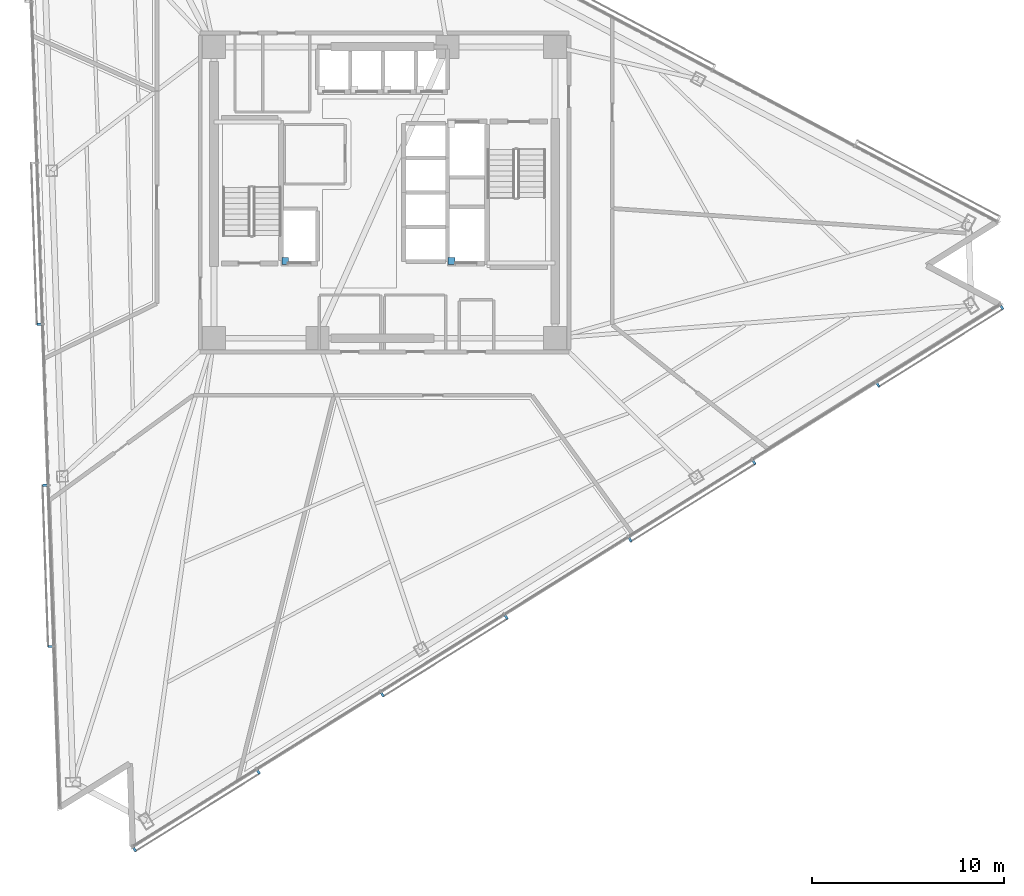
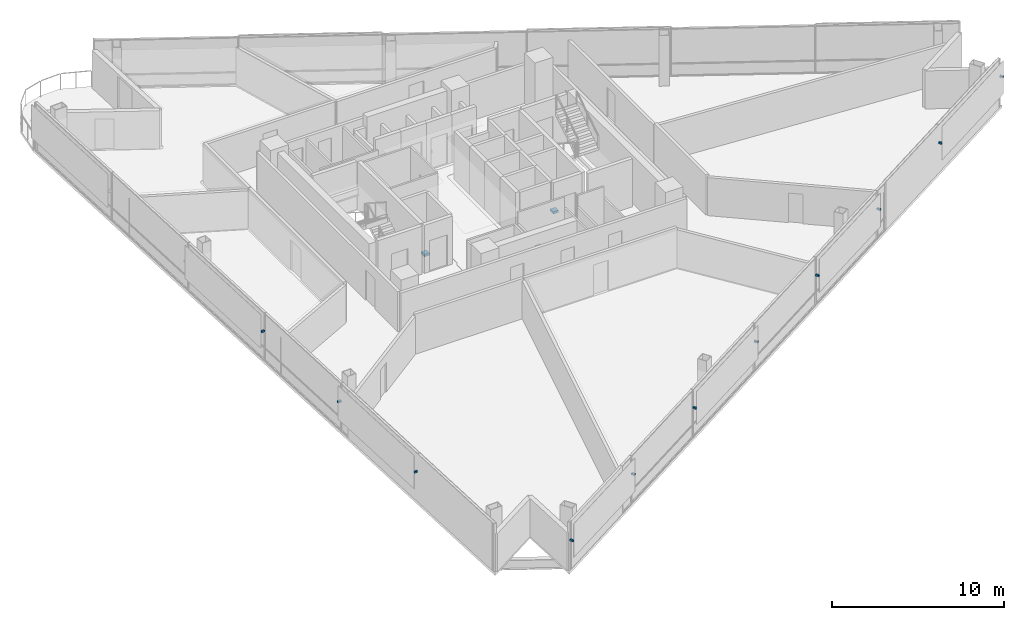
# One storey, part 15 of 21: 13 discrete accessories.
"""IFC4 building model written with IfcOpenShell, lengths in metres."""

from ifc_helpers import new_model, si_unit, direction, frame, origin, origin_2d, place, context, subcontext, project, spatial, rectangle, extrude, material, type_object, element, save


model = new_model("IFC4")

# Units and contexts
model_context = context("Model", 3, precision=1e-05, world=origin(), true_north=direction((0.0, 1.0)))
body_context = subcontext(model_context, "Body", "Model", "MODEL_VIEW")
ifc_project = project(units=[si_unit("LENGTHUNIT", "METRE"), si_unit("AREAUNIT", "SQUARE_METRE"), si_unit("VOLUMEUNIT", "CUBIC_METRE"), si_unit("PLANEANGLEUNIT", "RADIAN"), si_unit("MASSUNIT", "GRAM", prefix="KILO")], contexts=[model_context])

# Site, building, storey
site_placement = place(None, origin())
site = spatial("IfcSite", under=ifc_project, at=site_placement, CompositionType="ELEMENT")
building_placement = place(site_placement, origin())
building = spatial("IfcBuilding", under=site, at=building_placement, Name="Tharavind Bronze Gate", CompositionType="ELEMENT")
storey_placement = place(building_placement, frame((0.0, 0.0, 142.39990234375)))
storey = spatial("IfcBuildingStorey", under=building, at=storey_placement, Name="L36", CompositionType="ELEMENT", Elevation=142.39990234375)

# Discrete accessories
ifc_material_1 = material(Name="Galvanised Steel S355", Category="steel")
discrete_accessory_type_1 = type_object("IfcDiscreteAccessoryType", Name="LIFT GUIDE RAIL BRACKET", PredefinedType="BRACKET", material=ifc_material_1)
for number, where, z_axis, x_axis, name in (
    (1, (-5.179931640625, -3.580078125, 1.1201171875), (0.0, 0.0, 1.0), (1.0, 0.0, 0.0), "Lift FFL1 guide rail bracket at L36"),
    (2, (3.5, -3.580078125, 1.1201171875), (0.0, 0.0, 1.0), (1.0, 0.0, 0.0), "Lift SVL1 guide rail bracket at L36"),
):
    element("IfcDiscreteAccessory", number, at=place(storey_placement, frame(where, z_axis=z_axis, x_axis=x_axis)), inside=storey, type_object=discrete_accessory_type_1, Name=name, PredefinedType="BRACKET", context=body_context, shape_type="SweptSolid", body=[
        extrude(rectangle(XDim=0.360107421875, YDim=0.360107421875, at=origin_2d()), origin(), (0.0, 0.0, 1.0), 0.159912109375),
    ])
ifc_material_2 = material(Name="Stainless Steel 316", Category="steel")
discrete_accessory_type_2 = type_object("IfcDiscreteAccessoryType", Name="SOLAR SCREEN STANDOFF BRACKET", PredefinedType="BRACKET", material=ifc_material_2)
for number, where, z_axis, x_axis, name in (
    (3, (-18.018798828125, -6.8701171875, 2.094970703125), (0.0, 0.0, 1.0), (0.034899496703, -0.999390827019, 0.0), "CW-L36-S1 solar screen bracket 3.2"),
    (4, (-17.72509765625, -15.279541015625, 2.094970703125), (0.0, 0.0, 1.0), (0.034899496703, -0.999390827019, 0.0), "CW-L36-S1 solar screen bracket 5.1"),
    (5, (-17.431396484375, -23.68896484375, 2.094970703125), (0.0, 0.0, 1.0), (0.034899496703, -0.999390827019, 0.0), "CW-L36-S1 solar screen bracket 5.2"),
    (6, (-13.048095703125, -34.27294921875, 2.094970703125), (0.0, 0.0, 1.0), (0.848048096156, 0.529919264233, 0.0), "CW-L36-S2 solar screen bracket 1.1"),
    (7, (-6.582763671875, -30.23291015625, 2.094970703125), (0.0, 0.0, 1.0), (0.848048096156, 0.529919264233, 0.0), "CW-L36-S2 solar screen bracket 1.2"),
    (8, (-0.1171875, -26.19287109375, 2.094970703125), (0.0, 0.0, 1.0), (0.848048096156, 0.529919264233, 0.0), "CW-L36-S2 solar screen bracket 3.1"),
    (9, (6.34814453125, -22.15283203125, 2.094970703125), (0.0, 0.0, 1.0), (0.848048096156, 0.529919264233, 0.0), "CW-L36-S2 solar screen bracket 3.2"),
    (10, (12.813720703125, -18.11279296875, 2.094970703125), (0.0, 0.0, 1.0), (0.848048096156, 0.529919264233, 0.0), "CW-L36-S2 solar screen bracket 5.1"),
    (11, (19.279052734375, -14.07275390625, 2.094970703125), (0.0, 0.0, 1.0), (0.848048096156, 0.529919264233, 0.0), "CW-L36-S2 solar screen bracket 5.2"),
    (12, (25.744384765625, -10.03271484375, 2.094970703125), (0.0, 0.0, 1.0), (0.848048096156, 0.529919264233, 0.0), "CW-L36-S2 solar screen bracket 7.1"),
    (13, (32.2099609375, -5.992431640625, 2.094970703125), (0.0, 0.0, 1.0), (0.848048096156, 0.529919264233, 0.0), "CW-L36-S2 solar screen bracket 7.2"),
):
    element("IfcDiscreteAccessory", number, at=place(storey_placement, frame(where, z_axis=z_axis, x_axis=x_axis)), inside=storey, type_object=discrete_accessory_type_2, Name=name, PredefinedType="BRACKET", context=body_context, shape_type="SweptSolid", body=[
        extrude(rectangle(XDim=0.1201171875, YDim=0.239990234375, at=origin_2d()), origin(), (0.0, 0.0, 1.0), 0.1201171875),
    ])

save(model, "model.ifc")
